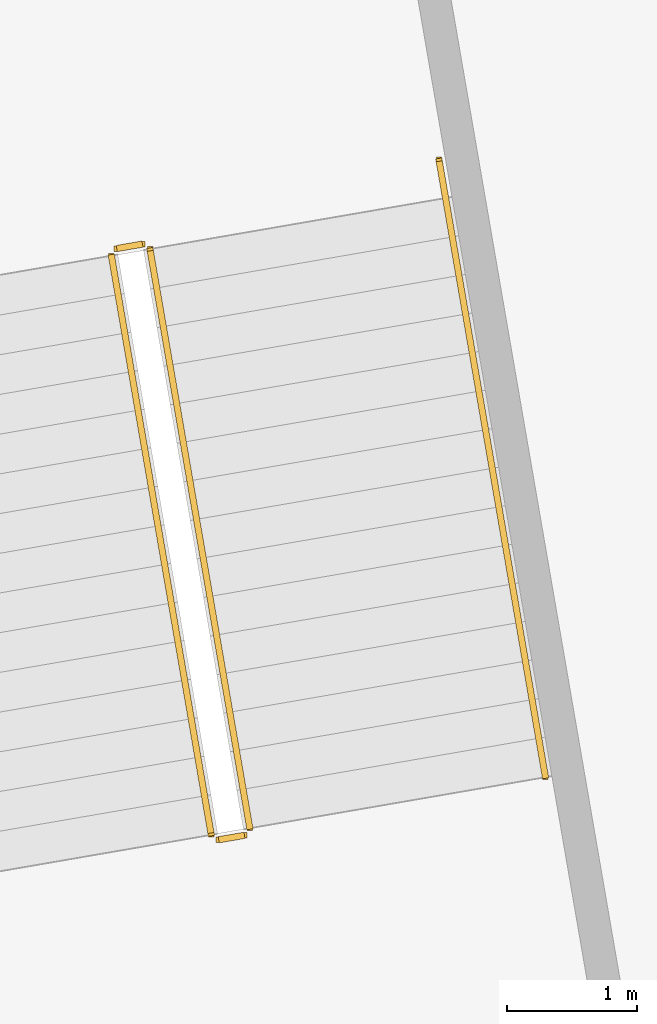
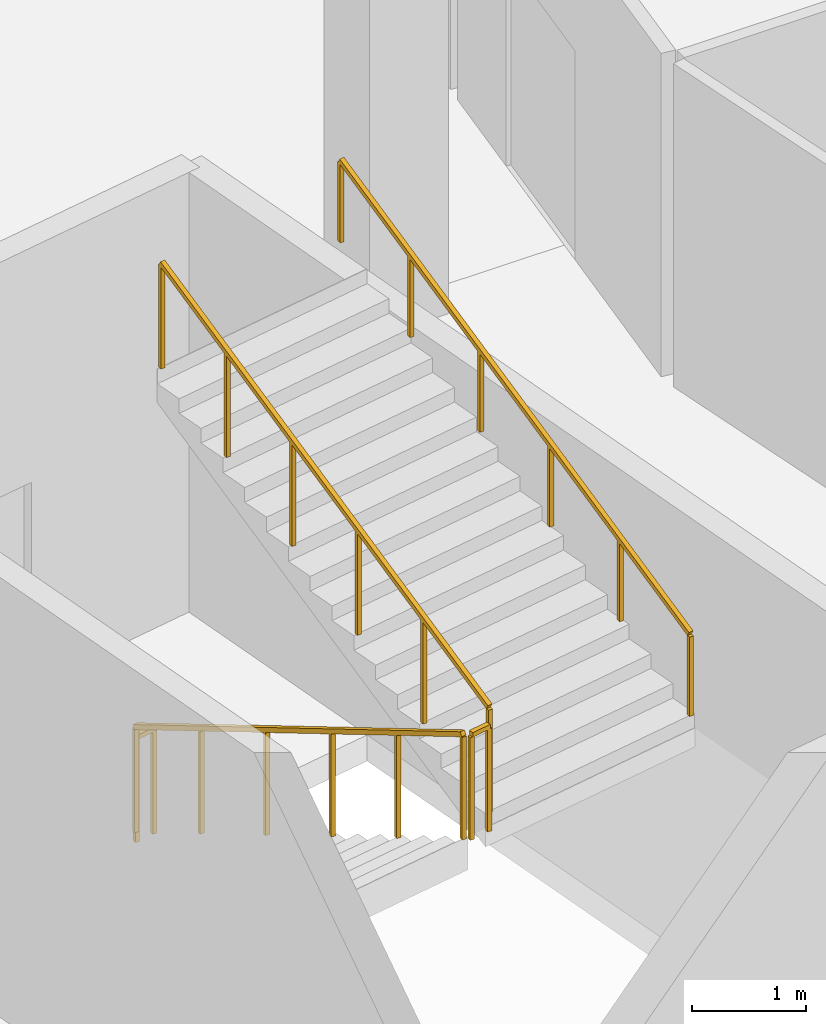
# One storey, part 153 of 179: 5 railings.
"""IFC4 building model written with IfcOpenShell, lengths in metres."""

from ifc_helpers import new_model, si_unit, direction, frame, origin, origin_2d, place, context, subcontext, project, spatial, rectangle, extrude, material, type_object, element, save


model = new_model("IFC4")

# Units and contexts
model_context = context("Model", 3, precision=1e-05, world=origin(), true_north=direction((0.0, 1.0)))
body_context = subcontext(model_context, "Body", "Model", "MODEL_VIEW")
ifc_project = project(units=[si_unit("LENGTHUNIT", "METRE"), si_unit("AREAUNIT", "SQUARE_METRE"), si_unit("VOLUMEUNIT", "CUBIC_METRE"), si_unit("PLANEANGLEUNIT", "RADIAN"), si_unit("MASSUNIT", "GRAM", prefix="KILO")], contexts=[model_context])

# Site, building, storey
site_placement = place(None, origin())
site = spatial("IfcSite", under=ifc_project, at=site_placement, CompositionType="ELEMENT")
building_placement = place(site_placement, origin())
building = spatial("IfcBuilding", under=site, at=building_placement, Name="Zlatoyarsky Gate Stadium", CompositionType="ELEMENT")
storey_placement = place(building_placement, frame((0.0, 0.0, 10.60009765625)))
storey = spatial("IfcBuildingStorey", under=building, at=storey_placement, Name="L02", CompositionType="ELEMENT", Elevation=10.60009765625)

# Railings
ifc_material_1 = material(Name="Powder-coated steel stair guardrail", Category="steel")
railing_type_1 = type_object("IfcRailingType", Name="PAINTED STEEL STAIR WELL GUARDRAIL 1150", PredefinedType="GUARDRAIL", material=ifc_material_1)
railing_1_placement = place(storey_placement, frame((23.9404296875, 73.914306640625, 0.15625)))
element("IfcRailing", 1, at=railing_1_placement, inside=storey, type_object=railing_type_1, Name="ST-07 L02 stair guard 1", PredefinedType="GUARDRAIL", context=body_context, shape_type="SweptSolid", body=[
    extrude(rectangle(XDim=0.048095703125, YDim=0.048095703125, at=origin_2d()), frame((0.0, 0.0, 1.1259765625), z_axis=(0.150705808246, -0.874016698911, 0.461933511867), x_axis=(0.985457609709, 0.16992145087, 0.0)), (0.0, 0.0, 1.0), 5.07373046875),
    extrude(rectangle(XDim=0.0419921875, YDim=0.0419921875, at=origin_2d()), origin(), (0.0, 0.0, 1.0), 1.101806640625),
    extrude(rectangle(XDim=0.0419921875, YDim=0.0419921875, at=origin_2d()), frame((0.15283203125, -0.886962890625, 0.46875)), (0.0, 0.0, 1.0), 1.101806640625),
    extrude(rectangle(XDim=0.0419921875, YDim=0.0419921875, at=origin_2d()), frame((0.305908203125, -1.77392578125, 0.9375)), (0.0, 0.0, 1.0), 1.101806640625),
    extrude(rectangle(XDim=0.0419921875, YDim=0.0419921875, at=origin_2d()), frame((0.458740234375, -2.66064453125, 1.40625)), (0.0, 0.0, 1.0), 1.101806640625),
    extrude(rectangle(XDim=0.0419921875, YDim=0.0419921875, at=origin_2d()), frame((0.61181640625, -3.547607421875, 1.875)), (0.0, 0.0, 1.0), 1.101806640625),
    extrude(rectangle(XDim=0.0419921875, YDim=0.0419921875, at=origin_2d()), frame((0.7646484375, -4.4345703125, 2.34375)), (0.0, 0.0, 1.0), 1.101806640625),
])
railing_2_placement = place(storey_placement, frame((24.762939453125, 69.43896484375, 2.5)))
element("IfcRailing", 2, at=railing_2_placement, inside=storey, type_object=railing_type_1, Name="ST-07 L02 stair guard 2", PredefinedType="GUARDRAIL", context=body_context, shape_type="SweptSolid", body=[
    extrude(rectangle(XDim=0.048095703125, YDim=0.048095703125, at=origin_2d()), frame((0.0, 0.0, 1.1259765625), z_axis=(0.985488304827, 0.16974333875, 0.0), x_axis=(-0.16974333875, 0.985488304827, 0.0)), (0.0, 0.0, 1.0), 0.199951171875),
    extrude(rectangle(XDim=0.0419921875, YDim=0.0419921875, at=origin_2d()), origin(), (0.0, 0.0, 1.0), 1.101806640625),
    extrude(rectangle(XDim=0.0419921875, YDim=0.0419921875, at=origin_2d()), frame((0.197021484375, 0.033935546875, 0.0)), (0.0, 0.0, 1.0), 1.101806640625),
])
railing_3_placement = place(storey_placement, frame((25.000732421875, 69.530517578125, 2.65625)))
element("IfcRailing", 3, at=railing_3_placement, inside=storey, type_object=railing_type_1, Name="ST-07 L02 stair guard 3", PredefinedType="GUARDRAIL", context=body_context, shape_type="SweptSolid", body=[
    extrude(rectangle(XDim=0.048095703125, YDim=0.048095703125, at=origin_2d()), frame((0.0, 0.0, 1.1259765625), z_axis=(-0.150705808246, 0.874016698911, 0.461933511867), x_axis=(-0.985457609709, -0.16992145087, 0.0)), (0.0, 0.0, 1.0), 5.07373046875),
    extrude(rectangle(XDim=0.0419921875, YDim=0.0419921875, at=origin_2d()), origin(), (0.0, 0.0, 1.0), 1.101806640625),
    extrude(rectangle(XDim=0.0419921875, YDim=0.0419921875, at=origin_2d()), frame((-0.15283203125, 0.886962890625, 0.46875)), (0.0, 0.0, 1.0), 1.101806640625),
    extrude(rectangle(XDim=0.0419921875, YDim=0.0419921875, at=origin_2d()), frame((-0.305908203125, 1.77392578125, 0.9375)), (0.0, 0.0, 1.0), 1.101806640625),
    extrude(rectangle(XDim=0.0419921875, YDim=0.0419921875, at=origin_2d()), frame((-0.458740234375, 2.66064453125, 1.40625)), (0.0, 0.0, 1.0), 1.101806640625),
    extrude(rectangle(XDim=0.0419921875, YDim=0.0419921875, at=origin_2d()), frame((-0.61181640625, 3.547607421875, 1.875)), (0.0, 0.0, 1.0), 1.101806640625),
    extrude(rectangle(XDim=0.0419921875, YDim=0.0419921875, at=origin_2d()), frame((-0.7646484375, 4.4345703125, 2.34375)), (0.0, 0.0, 1.0), 1.101806640625),
])
railing_4_placement = place(storey_placement, frame((23.981201171875, 73.971923828125, 0.0)))
element("IfcRailing", 4, at=railing_4_placement, inside=storey, type_object=railing_type_1, Name="ST-07 L02 stair guard 4", PredefinedType="GUARDRAIL", context=body_context, shape_type="SweptSolid", body=[
    extrude(rectangle(XDim=0.048095703125, YDim=0.048095703125, at=origin_2d()), frame((0.0, 0.0, 1.1259765625), z_axis=(0.985488304827, 0.16974333875, 0.0), x_axis=(-0.16974333875, 0.985488304827, 0.0)), (0.0, 0.0, 1.0), 0.199951171875),
    extrude(rectangle(XDim=0.0419921875, YDim=0.0419921875, at=origin_2d()), origin(), (0.0, 0.0, 1.0), 1.101806640625),
    extrude(rectangle(XDim=0.0419921875, YDim=0.0419921875, at=origin_2d()), frame((0.197021484375, 0.033935546875, 0.0)), (0.0, 0.0, 1.0), 1.101806640625),
])
ifc_material_2 = material(Name="Brushed stainless steel 316 handrail", Category="steel")
railing_type_2 = type_object("IfcRailingType", Name="STAINLESS STEEL TUBULAR HANDRAIL 900", PredefinedType="HANDRAIL", material=ifc_material_2)
railing_5_placement = place(storey_placement, frame((27.267333984375, 69.92138671875, 2.66015625)))
element("IfcRailing", 5, at=railing_5_placement, inside=storey, type_object=railing_type_2, Name="ST-07 L02 stair handrail 2", PredefinedType="HANDRAIL", context=body_context, shape_type="SweptSolid", body=[
    extrude(rectangle(XDim=0.048095703125, YDim=0.048095703125, at=origin_2d()), frame((0.0, 0.0, 0.8759765625), z_axis=(-0.150714229303, 0.874016220516, 0.461931669579), x_axis=(-0.985456004189, -0.169930761806, 0.0)), (0.0, 0.0, 1.0), 5.412109375),
    extrude(rectangle(XDim=0.0419921875, YDim=0.0419921875, at=origin_2d()), origin(), (0.0, 0.0, 1.0), 0.851806640625),
    extrude(rectangle(XDim=0.0419921875, YDim=0.0419921875, at=origin_2d()), frame((-0.1630859375, 0.946044921875, 0.5)), (0.0, 0.0, 1.0), 0.851806640625),
    extrude(rectangle(XDim=0.0419921875, YDim=0.0419921875, at=origin_2d()), frame((-0.326171875, 1.89208984375, 1.0)), (0.0, 0.0, 1.0), 0.851806640625),
    extrude(rectangle(XDim=0.0419921875, YDim=0.0419921875, at=origin_2d()), frame((-0.489501953125, 2.838134765625, 1.5)), (0.0, 0.0, 1.0), 0.851806640625),
    extrude(rectangle(XDim=0.0419921875, YDim=0.0419921875, at=origin_2d()), frame((-0.652587890625, 3.7841796875, 2.0)), (0.0, 0.0, 1.0), 0.851806640625),
    extrude(rectangle(XDim=0.0419921875, YDim=0.0419921875, at=origin_2d()), frame((-0.815673828125, 4.730224609375, 2.5)), (0.0, 0.0, 1.0), 0.851806640625),
])

save(model, "model.ifc")
